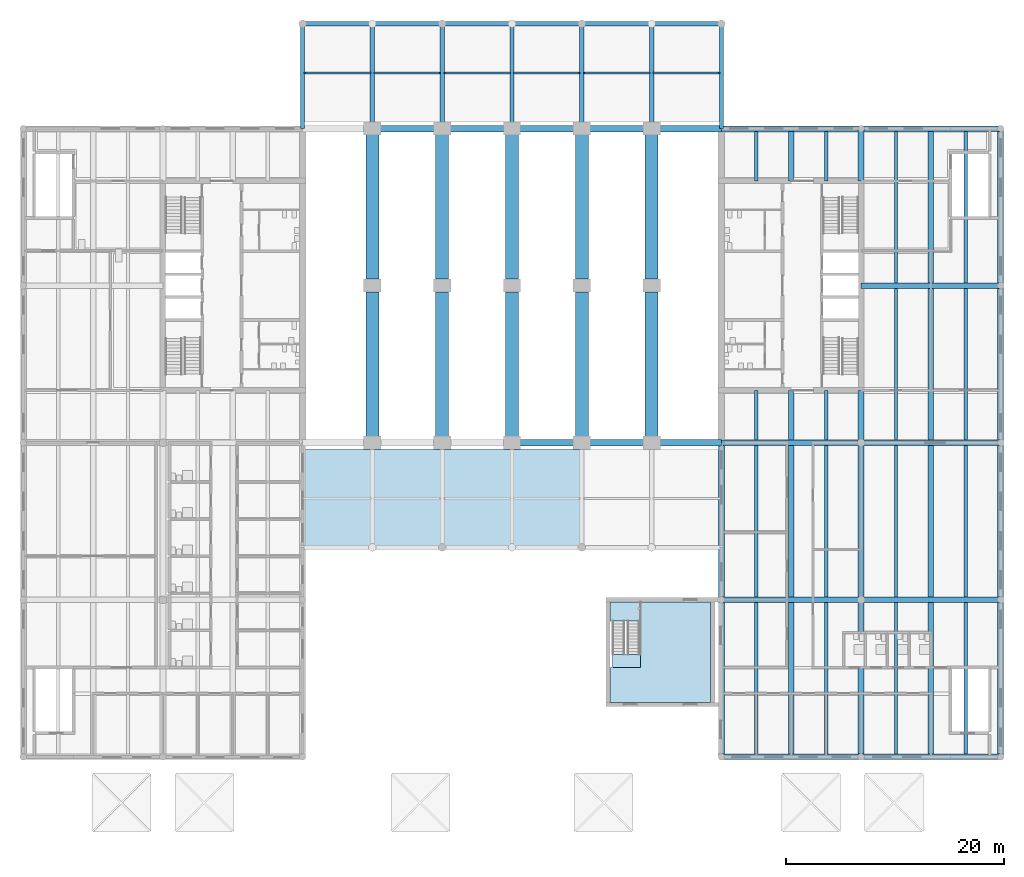
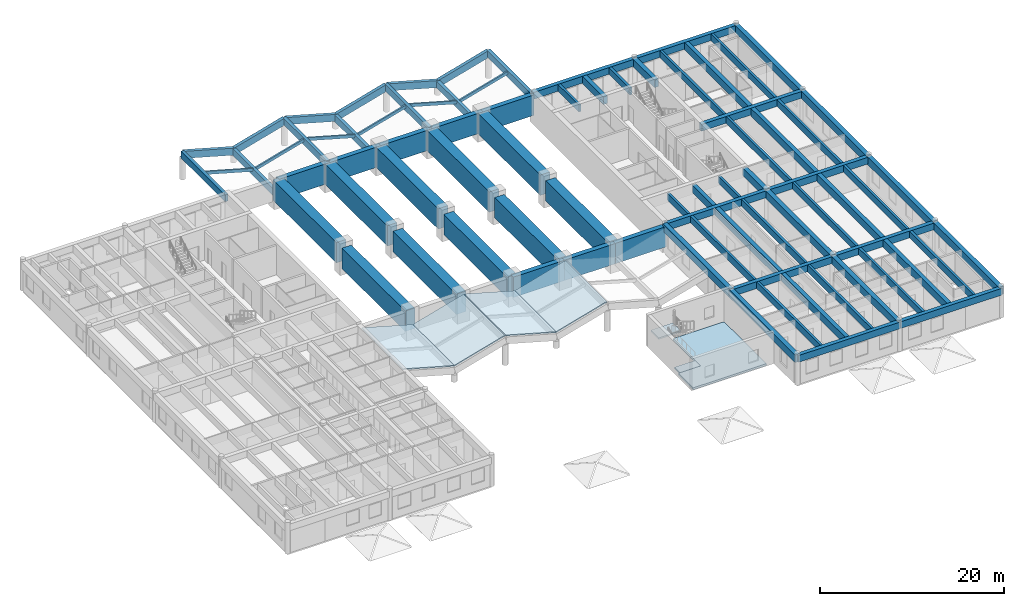
# One storey, part 3 of 19: 80 beams, 7 slabs, 1 element without a shape of its own.
"""IFC4 building model written with IfcOpenShell, lengths in metres."""

from ifc_helpers import new_model, si_unit, direction, frame, origin, origin_2d, place, context, subcontext, project, spatial, polyline, rectangle, outline, extrude, material, layer, layer_set, material_profile, profile_set, type_object, element, aggregate, save


model = new_model("IFC4")

# Units and contexts
model_context = context("Model", 3, precision=1e-05, world=origin(), true_north=direction((0.0, 1.0)))
body_context = subcontext(model_context, "Body", "Model", "MODEL_VIEW")
ifc_project = project(units=[si_unit("LENGTHUNIT", "METRE"), si_unit("AREAUNIT", "SQUARE_METRE"), si_unit("VOLUMEUNIT", "CUBIC_METRE"), si_unit("PLANEANGLEUNIT", "RADIAN"), si_unit("MASSUNIT", "GRAM", prefix="KILO")], contexts=[model_context])

# Site, building, storey
site_placement = place(None, origin())
site = spatial("IfcSite", under=ifc_project, at=site_placement, CompositionType="ELEMENT")
building_placement = place(site_placement, origin())
building = spatial("IfcBuilding", under=site, at=building_placement, Name="Fogon Plaza Fire Station and Headquarters Tower", CompositionType="ELEMENT")
storey_placement = place(building_placement, frame((0.0, 0.0, 4.199951171875)))
storey = spatial("IfcBuildingStorey", under=building, at=storey_placement, Name="L01", CompositionType="ELEMENT", Elevation=4.199951171875)

# Beams
ifc_material_1 = material(Name="Concrete C40", Category="concrete")
ifc_material_profile_1 = material_profile(ifc_material_1, rectangle(XDim=1.199951171875, YDim=2.699951171875, at=origin_2d()), Name="RC 1200x2700")
ifc_profile_set_1 = profile_set([ifc_material_profile_1], Name="Concrete C40")
beam_type_1 = type_object("IfcBeamType", Name="BEAM RC 1200x2700", PredefinedType="BEAM", material=ifc_profile_set_1)
for number, where, z_axis, x_axis, name in (
    (1, (32.0, 28.800048828125, 2.25), (0.0, 1.0, 0.0), (-1.0, 0.0, 0.0), "beam-L01-TG1-1"),
    (2, (32.0, 43.800048828125, 2.25), (0.0, 1.0, 0.0), (-1.0, 0.0, 0.0), "beam-L01-TG1-2"),
    (3, (38.39990234375, 28.800048828125, 2.25), (0.0, 1.0, 0.0), (-1.0, 0.0, 0.0), "beam-L01-TG2-1"),
    (4, (38.39990234375, 43.800048828125, 2.25), (0.0, 1.0, 0.0), (-1.0, 0.0, 0.0), "beam-L01-TG2-2"),
    (5, (44.800048828125, 28.800048828125, 2.25), (0.0, 1.0, 0.0), (-1.0, 0.0, 0.0), "beam-L01-TG3-1"),
    (6, (44.800048828125, 43.800048828125, 2.25), (0.0, 1.0, 0.0), (-1.0, 0.0, 0.0), "beam-L01-TG3-2"),
    (7, (51.199951171875, 28.800048828125, 2.25), (0.0, 1.0, 0.0), (-1.0, 0.0, 0.0), "beam-L01-TG4-1"),
    (8, (51.199951171875, 43.800048828125, 2.25), (0.0, 1.0, 0.0), (-1.0, 0.0, 0.0), "beam-L01-TG4-2"),
    (9, (57.60009765625, 28.800048828125, 2.25), (0.0, 1.0, 0.0), (-1.0, 0.0, 0.0), "beam-L01-TG5-1"),
    (10, (57.60009765625, 43.800048828125, 2.25), (0.0, 1.0, 0.0), (-1.0, 0.0, 0.0), "beam-L01-TG5-2"),
):
    element("IfcBeam", number, at=place(storey_placement, frame(where, z_axis=z_axis, x_axis=x_axis)), inside=storey, type_object=beam_type_1, Name=name, PredefinedType="BEAM", context=body_context, shape_type="SweptSolid", body=[
        extrude(rectangle(XDim=1.199951171875, YDim=2.699951171875, at=origin_2d()), origin(), (0.0, 0.0, 1.0), 13.800048828125),
    ])
ifc_material_2 = material(Name="Concrete C40", Category="concrete")
ifc_material_profile_2 = material_profile(ifc_material_2, rectangle(XDim=0.199951171875, YDim=0.39990234375, at=origin_2d()), Name="RC 200x400")
ifc_profile_set_2 = profile_set([ifc_material_profile_2], Name="Concrete C40")
beam_type_2 = type_object("IfcBeamType", Name="BEAM RC 200x400", PredefinedType="BEAM", material=ifc_profile_set_2)
for number, where, z_axis, x_axis, name in (
    (11, (25.800048828125, 62.699951171875, 3.393798828125), (0.962650940154, 0.0, -0.270745576918), (0.0, 1.0, 0.0), "beam-L01-RCF1"),
    (12, (32.199951171875, 62.699951171875, 1.706298828125), (0.962650940154, 0.0, 0.270745576918), (0.0, 1.0, 0.0), "beam-L01-RCF2"),
    (13, (38.60009765625, 62.699951171875, 3.393798828125), (0.962650940154, 0.0, -0.270745576918), (0.0, 1.0, 0.0), "beam-L01-RCF3"),
    (14, (45.0, 62.699951171875, 1.706298828125), (0.962650940154, 0.0, 0.270745576918), (0.0, 1.0, 0.0), "beam-L01-RCF4"),
    (15, (51.39990234375, 62.699951171875, 3.393798828125), (0.962650940154, 0.0, -0.270745576918), (0.0, 1.0, 0.0), "beam-L01-RCF5"),
    (16, (57.800048828125, 62.699951171875, 1.706298828125), (0.962650940154, 0.0, 0.270745576918), (0.0, 1.0, 0.0), "beam-L01-RCF6"),
):
    element("IfcBeam", number, at=place(storey_placement, frame(where, z_axis=z_axis, x_axis=x_axis)), inside=storey, type_object=beam_type_2, Name=name, PredefinedType="BEAM", context=body_context, shape_type="SweptSolid", body=[
        extrude(rectangle(XDim=0.199951171875, YDim=0.39990234375, at=origin_2d()), origin(), (0.0, 0.0, 1.0), 6.23291015625),
    ])
ifc_material_3 = material(Name="Concrete C40", Category="concrete")
ifc_material_profile_3 = material_profile(ifc_material_3, rectangle(XDim=0.39990234375, YDim=0.89990234375, at=origin_2d()), Name="RC 400x900")
ifc_profile_set_3 = profile_set([ifc_material_profile_3], Name="Concrete C40")
beam_type_3 = type_object("IfcBeamType", Name="BEAM RC 400x900", PredefinedType="BEAM", material=ifc_profile_set_3)
for number, where, z_axis, x_axis, name in (
    (17, (25.60009765625, 57.60009765625, 3.199951171875), (0.0, 1.0, 0.0), (-1.0, 0.0, 0.0), "beam-L01-CFF1"),
    (18, (32.0, 57.60009765625, 1.400146484375), (0.0, 1.0, 0.0), (-1.0, 0.0, 0.0), "beam-L01-CFF2"),
    (19, (38.39990234375, 57.60009765625, 3.199951171875), (0.0, 1.0, 0.0), (-1.0, 0.0, 0.0), "beam-L01-CFF3"),
    (20, (44.800048828125, 57.60009765625, 1.400146484375), (0.0, 1.0, 0.0), (-1.0, 0.0, 0.0), "beam-L01-CFF4"),
    (21, (51.199951171875, 57.60009765625, 3.199951171875), (0.0, 1.0, 0.0), (-1.0, 0.0, 0.0), "beam-L01-CFF5"),
    (22, (57.60009765625, 57.60009765625, 1.400146484375), (0.0, 1.0, 0.0), (-1.0, 0.0, 0.0), "beam-L01-CFF6"),
    (23, (64.0, 57.60009765625, 3.199951171875), (0.0, 1.0, 0.0), (-1.0, 0.0, 0.0), "beam-L01-CFF7"),
):
    element("IfcBeam", number, at=place(storey_placement, frame(where, z_axis=z_axis, x_axis=x_axis)), inside=storey, type_object=beam_type_3, Name=name, PredefinedType="BEAM", context=body_context, shape_type="SweptSolid", body=[
        extrude(rectangle(XDim=0.39990234375, YDim=0.89990234375, at=origin_2d()), origin(), (0.0, 0.0, 1.0), 9.599853515625),
    ])
ifc_material_4 = material(Name="Concrete C40", Category="concrete")
ifc_material_profile_4 = material_profile(ifc_material_4, rectangle(XDim=0.39990234375, YDim=0.89990234375, at=origin_2d()), Name="RC 400x900")
ifc_profile_set_4 = profile_set([ifc_material_profile_4], Name="Concrete C40")
beam_type_4 = type_object("IfcBeamType", Name="BEAM RC 400x900 SPAN 4.8 TO 7.7 M", PredefinedType="BEAM", material=ifc_profile_set_4)
for number, where, z_axis, x_axis, name in (
    (24, (25.60009765625, 67.199951171875, 3.199951171875), (0.962657520105, 0.0, -0.270722180446), (0.0, 1.0, 0.0), "beam-L01-CBF1"),
    (25, (32.0, 67.199951171875, 1.400146484375), (0.962657520105, 0.0, 0.270722180446), (0.0, 1.0, 0.0), "beam-L01-CBF2"),
):
    element("IfcBeam", number, at=place(storey_placement, frame(where, z_axis=z_axis, x_axis=x_axis)), inside=storey, type_object=beam_type_4, Name=name, PredefinedType="BEAM", context=body_context, shape_type="SweptSolid", body=[
        extrude(rectangle(XDim=0.39990234375, YDim=0.89990234375, at=origin_2d()), origin(), (0.0, 0.0, 1.0), 6.648193359375),
    ])
beam_1_placement = place(storey_placement, frame((38.39990234375, 67.199951171875, 3.199951171875), z_axis=(0.962660211411, 0.0, -0.270712610281), x_axis=(0.0, 1.0, 0.0)))
element("IfcBeam", 26, at=beam_1_placement, inside=storey, type_object=beam_type_4, Name="beam-L01-CBF3", PredefinedType="BEAM", context=body_context, shape_type="SweptSolid", body=[
    extrude(rectangle(XDim=0.39990234375, YDim=0.89990234375, at=origin_2d()), origin(), (0.0, 0.0, 1.0), 6.6484375),
])
beam_2_placement = place(storey_placement, frame((44.800048828125, 67.199951171875, 1.400146484375), z_axis=(0.962657520105, 0.0, 0.270722180446), x_axis=(0.0, 1.0, 0.0)))
element("IfcBeam", 27, at=beam_2_placement, inside=storey, type_object=beam_type_4, Name="beam-L01-CBF4", PredefinedType="BEAM", context=body_context, shape_type="SweptSolid", body=[
    extrude(rectangle(XDim=0.39990234375, YDim=0.89990234375, at=origin_2d()), origin(), (0.0, 0.0, 1.0), 6.648193359375),
])
beam_3_placement = place(storey_placement, frame((51.199951171875, 67.199951171875, 3.199951171875), z_axis=(0.962660211411, 0.0, -0.270712610281), x_axis=(0.0, 1.0, 0.0)))
element("IfcBeam", 28, at=beam_3_placement, inside=storey, type_object=beam_type_4, Name="beam-L01-CBF5", PredefinedType="BEAM", context=body_context, shape_type="SweptSolid", body=[
    extrude(rectangle(XDim=0.39990234375, YDim=0.89990234375, at=origin_2d()), origin(), (0.0, 0.0, 1.0), 6.6484375),
])
beam_4_placement = place(storey_placement, frame((57.60009765625, 67.199951171875, 1.400146484375), z_axis=(0.962657520105, 0.0, 0.270722180446), x_axis=(0.0, 1.0, 0.0)))
element("IfcBeam", 29, at=beam_4_placement, inside=storey, type_object=beam_type_4, Name="beam-L01-CBF6", PredefinedType="BEAM", context=body_context, shape_type="SweptSolid", body=[
    extrude(rectangle(XDim=0.39990234375, YDim=0.89990234375, at=origin_2d()), origin(), (0.0, 0.0, 1.0), 6.648193359375),
])
ifc_material_5 = material(Name="Concrete C40", Category="concrete")
ifc_material_profile_5 = material_profile(ifc_material_5, rectangle(XDim=0.5, YDim=0.89990234375, at=origin_2d()), Name="RC 500x900")
ifc_profile_set_5 = profile_set([ifc_material_profile_5], Name="Concrete C40")
beam_type_5 = type_object("IfcBeamType", Name="BEAM RC 500x900", PredefinedType="BEAM", material=ifc_profile_set_5)
for number, where, z_axis, x_axis, name in (
    (30, (89.60009765625, 0.0, 3.449951171875), (-1.0, 0.0, 0.0), (0.0, -1.0, 0.0), "beam-L01-002"),
    (31, (76.800048828125, 0.0, 3.449951171875), (-1.0, 0.0, 0.0), (0.0, -1.0, 0.0), "beam-L01-004"),
    (32, (89.60009765625, 14.39990234375, 3.449951171875), (-1.0, 0.0, 0.0), (0.0, -1.0, 0.0), "beam-L01-006"),
    (33, (76.800048828125, 14.39990234375, 3.449951171875), (-1.0, 0.0, 0.0), (0.0, -1.0, 0.0), "beam-L01-008"),
    (34, (89.60009765625, 28.800048828125, 3.449951171875), (-1.0, 0.0, 0.0), (0.0, -1.0, 0.0), "beam-L01-010"),
    (35, (76.800048828125, 28.800048828125, 3.449951171875), (-1.0, 0.0, 0.0), (0.0, -1.0, 0.0), "beam-L01-012"),
    (36, (89.60009765625, 43.199951171875, 3.449951171875), (-1.0, 0.0, 0.0), (0.0, -1.0, 0.0), "beam-L01-014"),
    (37, (89.60009765625, 57.60009765625, 3.449951171875), (-1.0, 0.0, 0.0), (0.0, -1.0, 0.0), "beam-L01-016"),
    (38, (76.800048828125, 57.60009765625, 3.449951171875), (-1.0, 0.0, 0.0), (0.0, -1.0, 0.0), "beam-L01-018"),
):
    element("IfcBeam", number, at=place(storey_placement, frame(where, z_axis=z_axis, x_axis=x_axis)), inside=storey, type_object=beam_type_5, Name=name, PredefinedType="BEAM", context=body_context, shape_type="SweptSolid", body=[
        extrude(rectangle(XDim=0.5, YDim=0.89990234375, at=origin_2d()), origin(), (0.0, 0.0, 1.0), 12.800048828125),
    ])
ifc_material_6 = material(Name="Concrete C40", Category="concrete")
ifc_material_profile_6 = material_profile(ifc_material_6, rectangle(XDim=0.550048828125, YDim=1.0, at=origin_2d()), Name="RC 550x1000")
ifc_profile_set_6 = profile_set([ifc_material_profile_6], Name="Concrete C40")
beam_type_6 = type_object("IfcBeamType", Name="BEAM RC 550x1000", PredefinedType="BEAM", material=ifc_profile_set_6)
beam_5_placement = place(storey_placement, frame((89.60009765625, 0.0, 3.400146484375), z_axis=(0.0, 1.0, 0.0), x_axis=(-1.0, 0.0, 0.0)))
element("IfcBeam", 39, at=beam_5_placement, inside=storey, type_object=beam_type_6, Name="beam-L01-020", PredefinedType="BEAM", context=body_context, shape_type="SweptSolid", body=[
    extrude(rectangle(XDim=0.550048828125, YDim=1.0, at=origin_2d()), origin(), (0.0, 0.0, 1.0), 14.39990234375),
])
beam_6_placement = place(storey_placement, frame((89.60009765625, 14.39990234375, 3.400146484375), z_axis=(0.0, 1.0, 0.0), x_axis=(-1.0, 0.0, 0.0)))
element("IfcBeam", 40, at=beam_6_placement, inside=storey, type_object=beam_type_6, Name="beam-L01-022", PredefinedType="BEAM", context=body_context, shape_type="SweptSolid", body=[
    extrude(rectangle(XDim=0.550048828125, YDim=1.0, at=origin_2d()), origin(), (0.0, 0.0, 1.0), 14.400146484375),
])
beam_7_placement = place(storey_placement, frame((89.60009765625, 28.800048828125, 3.400146484375), z_axis=(0.0, 1.0, 0.0), x_axis=(-1.0, 0.0, 0.0)))
element("IfcBeam", 41, at=beam_7_placement, inside=storey, type_object=beam_type_6, Name="beam-L01-024", PredefinedType="BEAM", context=body_context, shape_type="SweptSolid", body=[
    extrude(rectangle(XDim=0.550048828125, YDim=1.0, at=origin_2d()), origin(), (0.0, 0.0, 1.0), 14.39990234375),
])
beam_8_placement = place(storey_placement, frame((89.60009765625, 43.199951171875, 3.400146484375), z_axis=(0.0, 1.0, 0.0), x_axis=(-1.0, 0.0, 0.0)))
element("IfcBeam", 42, at=beam_8_placement, inside=storey, type_object=beam_type_6, Name="beam-L01-026", PredefinedType="BEAM", context=body_context, shape_type="SweptSolid", body=[
    extrude(rectangle(XDim=0.550048828125, YDim=1.0, at=origin_2d()), origin(), (0.0, 0.0, 1.0), 14.400146484375),
])
beam_9_placement = place(storey_placement, frame((76.800048828125, 0.0, 3.400146484375), z_axis=(0.0, 1.0, 0.0), x_axis=(-1.0, 0.0, 0.0)))
element("IfcBeam", 43, at=beam_9_placement, inside=storey, type_object=beam_type_6, Name="beam-L01-028", PredefinedType="BEAM", context=body_context, shape_type="SweptSolid", body=[
    extrude(rectangle(XDim=0.550048828125, YDim=1.0, at=origin_2d()), origin(), (0.0, 0.0, 1.0), 14.39990234375),
])
beam_10_placement = place(storey_placement, frame((76.800048828125, 14.39990234375, 3.400146484375), z_axis=(0.0, 1.0, 0.0), x_axis=(-1.0, 0.0, 0.0)))
element("IfcBeam", 44, at=beam_10_placement, inside=storey, type_object=beam_type_6, Name="beam-L01-030", PredefinedType="BEAM", context=body_context, shape_type="SweptSolid", body=[
    extrude(rectangle(XDim=0.550048828125, YDim=1.0, at=origin_2d()), origin(), (0.0, 0.0, 1.0), 14.400146484375),
])
beam_11_placement = place(storey_placement, frame((64.0, 0.0, 3.400146484375), z_axis=(0.0, 1.0, 0.0), x_axis=(-1.0, 0.0, 0.0)))
element("IfcBeam", 45, at=beam_11_placement, inside=storey, type_object=beam_type_6, Name="beam-L01-032", PredefinedType="BEAM", context=body_context, shape_type="SweptSolid", body=[
    extrude(rectangle(XDim=0.550048828125, YDim=1.0, at=origin_2d()), origin(), (0.0, 0.0, 1.0), 14.39990234375),
])
beam_12_placement = place(storey_placement, frame((64.0, 14.39990234375, 3.400146484375), z_axis=(0.0, 1.0, 0.0), x_axis=(-1.0, 0.0, 0.0)))
element("IfcBeam", 46, at=beam_12_placement, inside=storey, type_object=beam_type_6, Name="beam-L01-034", PredefinedType="BEAM", context=body_context, shape_type="SweptSolid", body=[
    extrude(rectangle(XDim=0.550048828125, YDim=1.0, at=origin_2d()), origin(), (0.0, 0.0, 1.0), 14.400146484375),
])
ifc_material_7 = material(Name="Concrete C40", Category="concrete")
ifc_material_profile_7 = material_profile(ifc_material_7, rectangle(XDim=0.550048828125, YDim=1.0, at=origin_2d()), Name="RC 550x1000")
ifc_profile_set_7 = profile_set([ifc_material_profile_7], Name="Concrete C40")
beam_type_7 = type_object("IfcBeamType", Name="BEAM RC 550x1000 SPAN 3.0 TO 4.8 M", PredefinedType="BEAM", material=ifc_profile_set_7)
for number, where, z_axis, x_axis, name in (
    (47, (76.800048828125, 28.800048828125, 3.400146484375), (0.0, 1.0, 0.0), (-1.0, 0.0, 0.0), "beam-L01-036"),
    (48, (76.800048828125, 52.800048828125, 3.400146484375), (0.0, 1.0, 0.0), (-1.0, 0.0, 0.0), "beam-L01-038"),
):
    element("IfcBeam", number, at=place(storey_placement, frame(where, z_axis=z_axis, x_axis=x_axis)), inside=storey, type_object=beam_type_7, Name=name, PredefinedType="BEAM", context=body_context, shape_type="SweptSolid", body=[
        extrude(rectangle(XDim=0.550048828125, YDim=1.0, at=origin_2d()), origin(), (0.0, 0.0, 1.0), 4.800048828125),
    ])
ifc_material_8 = material(Name="Concrete C40", Category="concrete")
ifc_material_profile_8 = material_profile(ifc_material_8, rectangle(XDim=0.300048828125, YDim=0.89990234375, at=origin_2d()), Name="RC 300x900")
ifc_profile_set_8 = profile_set([ifc_material_profile_8], Name="Concrete C40")
beam_type_8 = type_object("IfcBeamType", Name="JOIST RC 300x900", PredefinedType="JOIST", material=ifc_profile_set_8)
beam_13_placement = place(storey_placement, frame((86.39990234375, 0.25, 3.449951171875), z_axis=(0.0, 1.0, 0.0), x_axis=(-1.0, 0.0, 0.0)))
element("IfcBeam", 49, at=beam_13_placement, inside=storey, type_object=beam_type_8, Name="beam-L01-056", PredefinedType="JOIST", context=body_context, shape_type="SweptSolid", body=[
    extrude(rectangle(XDim=0.300048828125, YDim=0.89990234375, at=origin_2d()), origin(), (0.0, 0.0, 1.0), 13.89990234375),
])
beam_14_placement = place(storey_placement, frame((86.39990234375, 14.64990234375, 3.449951171875), z_axis=(0.0, 1.0, 0.0), x_axis=(-1.0, 0.0, 0.0)))
element("IfcBeam", 50, at=beam_14_placement, inside=storey, type_object=beam_type_8, Name="beam-L01-058", PredefinedType="JOIST", context=body_context, shape_type="SweptSolid", body=[
    extrude(rectangle(XDim=0.300048828125, YDim=0.89990234375, at=origin_2d()), origin(), (0.0, 0.0, 1.0), 13.900146484375),
])
beam_15_placement = place(storey_placement, frame((86.39990234375, 29.050048828125, 3.449951171875), z_axis=(0.0, 1.0, 0.0), x_axis=(-1.0, 0.0, 0.0)))
element("IfcBeam", 51, at=beam_15_placement, inside=storey, type_object=beam_type_8, Name="beam-L01-060", PredefinedType="JOIST", context=body_context, shape_type="SweptSolid", body=[
    extrude(rectangle(XDim=0.300048828125, YDim=0.89990234375, at=origin_2d()), origin(), (0.0, 0.0, 1.0), 13.89990234375),
])
beam_16_placement = place(storey_placement, frame((86.39990234375, 43.449951171875, 3.449951171875), z_axis=(0.0, 1.0, 0.0), x_axis=(-1.0, 0.0, 0.0)))
element("IfcBeam", 52, at=beam_16_placement, inside=storey, type_object=beam_type_8, Name="beam-L01-062", PredefinedType="JOIST", context=body_context, shape_type="SweptSolid", body=[
    extrude(rectangle(XDim=0.300048828125, YDim=0.89990234375, at=origin_2d()), origin(), (0.0, 0.0, 1.0), 13.900146484375),
])
beam_17_placement = place(storey_placement, frame((80.0, 0.25, 3.449951171875), z_axis=(0.0, 1.0, 0.0), x_axis=(-1.0, 0.0, 0.0)))
element("IfcBeam", 53, at=beam_17_placement, inside=storey, type_object=beam_type_8, Name="beam-L01-064", PredefinedType="JOIST", context=body_context, shape_type="SweptSolid", body=[
    extrude(rectangle(XDim=0.300048828125, YDim=0.89990234375, at=origin_2d()), origin(), (0.0, 0.0, 1.0), 13.89990234375),
])
beam_18_placement = place(storey_placement, frame((80.0, 14.64990234375, 3.449951171875), z_axis=(0.0, 1.0, 0.0), x_axis=(-1.0, 0.0, 0.0)))
element("IfcBeam", 54, at=beam_18_placement, inside=storey, type_object=beam_type_8, Name="beam-L01-066", PredefinedType="JOIST", context=body_context, shape_type="SweptSolid", body=[
    extrude(rectangle(XDim=0.300048828125, YDim=0.89990234375, at=origin_2d()), origin(), (0.0, 0.0, 1.0), 13.900146484375),
])
beam_19_placement = place(storey_placement, frame((80.0, 29.050048828125, 3.449951171875), z_axis=(0.0, 1.0, 0.0), x_axis=(-1.0, 0.0, 0.0)))
element("IfcBeam", 55, at=beam_19_placement, inside=storey, type_object=beam_type_8, Name="beam-L01-068", PredefinedType="JOIST", context=body_context, shape_type="SweptSolid", body=[
    extrude(rectangle(XDim=0.300048828125, YDim=0.89990234375, at=origin_2d()), origin(), (0.0, 0.0, 1.0), 13.89990234375),
])
beam_20_placement = place(storey_placement, frame((80.0, 43.449951171875, 3.449951171875), z_axis=(0.0, 1.0, 0.0), x_axis=(-1.0, 0.0, 0.0)))
element("IfcBeam", 56, at=beam_20_placement, inside=storey, type_object=beam_type_8, Name="beam-L01-070", PredefinedType="JOIST", context=body_context, shape_type="SweptSolid", body=[
    extrude(rectangle(XDim=0.300048828125, YDim=0.89990234375, at=origin_2d()), origin(), (0.0, 0.0, 1.0), 13.900146484375),
])
beam_21_placement = place(storey_placement, frame((73.60009765625, 0.25, 3.449951171875), z_axis=(0.0, 1.0, 0.0), x_axis=(-1.0, 0.0, 0.0)))
element("IfcBeam", 57, at=beam_21_placement, inside=storey, type_object=beam_type_8, Name="beam-L01-072", PredefinedType="JOIST", context=body_context, shape_type="SweptSolid", body=[
    extrude(rectangle(XDim=0.300048828125, YDim=0.89990234375, at=origin_2d()), origin(), (0.0, 0.0, 1.0), 13.89990234375),
])
beam_22_placement = place(storey_placement, frame((73.60009765625, 14.64990234375, 3.449951171875), z_axis=(0.0, 1.0, 0.0), x_axis=(-1.0, 0.0, 0.0)))
element("IfcBeam", 58, at=beam_22_placement, inside=storey, type_object=beam_type_8, Name="beam-L01-074", PredefinedType="JOIST", context=body_context, shape_type="SweptSolid", body=[
    extrude(rectangle(XDim=0.300048828125, YDim=0.89990234375, at=origin_2d()), origin(), (0.0, 0.0, 1.0), 13.900146484375),
])
beam_23_placement = place(storey_placement, frame((67.199951171875, 0.25, 3.449951171875), z_axis=(0.0, 1.0, 0.0), x_axis=(-1.0, 0.0, 0.0)))
element("IfcBeam", 59, at=beam_23_placement, inside=storey, type_object=beam_type_8, Name="beam-L01-080", PredefinedType="JOIST", context=body_context, shape_type="SweptSolid", body=[
    extrude(rectangle(XDim=0.300048828125, YDim=0.89990234375, at=origin_2d()), origin(), (0.0, 0.0, 1.0), 13.89990234375),
])
beam_24_placement = place(storey_placement, frame((67.199951171875, 14.64990234375, 3.449951171875), z_axis=(0.0, 1.0, 0.0), x_axis=(-1.0, 0.0, 0.0)))
element("IfcBeam", 60, at=beam_24_placement, inside=storey, type_object=beam_type_8, Name="beam-L01-082", PredefinedType="JOIST", context=body_context, shape_type="SweptSolid", body=[
    extrude(rectangle(XDim=0.300048828125, YDim=0.89990234375, at=origin_2d()), origin(), (0.0, 0.0, 1.0), 13.900146484375),
])
ifc_material_9 = material(Name="Concrete C40", Category="concrete")
ifc_material_profile_9 = material_profile(ifc_material_9, rectangle(XDim=0.300048828125, YDim=0.89990234375, at=origin_2d()), Name="RC 300x900")
ifc_profile_set_9 = profile_set([ifc_material_profile_9], Name="Concrete C40")
beam_type_9 = type_object("IfcBeamType", Name="JOIST RC 300x900 SPAN 3.0 TO 4.8 M", PredefinedType="JOIST", material=ifc_profile_set_9)
for number, where, z_axis, x_axis, name in (
    (61, (73.60009765625, 29.050048828125, 3.449951171875), (0.0, 1.0, 0.0), (-1.0, 0.0, 0.0), "beam-L01-076"),
    (62, (73.60009765625, 52.800048828125, 3.449951171875), (0.0, 1.0, 0.0), (-1.0, 0.0, 0.0), "beam-L01-078"),
    (63, (67.199951171875, 29.050048828125, 3.449951171875), (0.0, 1.0, 0.0), (-1.0, 0.0, 0.0), "beam-L01-084"),
    (64, (67.199951171875, 52.800048828125, 3.449951171875), (0.0, 1.0, 0.0), (-1.0, 0.0, 0.0), "beam-L01-086"),
):
    element("IfcBeam", number, at=place(storey_placement, frame(where, z_axis=z_axis, x_axis=x_axis)), inside=storey, type_object=beam_type_9, Name=name, PredefinedType="JOIST", context=body_context, shape_type="SweptSolid", body=[
        extrude(rectangle(XDim=0.300048828125, YDim=0.89990234375, at=origin_2d()), origin(), (0.0, 0.0, 1.0), 4.550048828125),
    ])
ifc_material_10 = material(Name="Concrete C40", Category="concrete")
ifc_material_profile_10 = material_profile(ifc_material_10, rectangle(XDim=0.5, YDim=1.0, at=origin_2d()), Name="RC 500x1000")
ifc_profile_set_10 = profile_set([ifc_material_profile_10], Name="Concrete C40")
beam_type_10 = type_object("IfcBeamType", Name="JOIST RC 500x1000", PredefinedType="JOIST", material=ifc_profile_set_10)
beam_25_placement = place(storey_placement, frame((83.199951171875, 0.25, 3.400146484375), z_axis=(0.0, 1.0, 0.0), x_axis=(-1.0, 0.0, 0.0)))
element("IfcBeam", 65, at=beam_25_placement, inside=storey, type_object=beam_type_10, Name="beam-L01-040", PredefinedType="JOIST", context=body_context, shape_type="SweptSolid", body=[
    extrude(rectangle(XDim=0.5, YDim=1.0, at=origin_2d()), origin(), (0.0, 0.0, 1.0), 13.89990234375),
])
beam_26_placement = place(storey_placement, frame((83.199951171875, 14.64990234375, 3.400146484375), z_axis=(0.0, 1.0, 0.0), x_axis=(-1.0, 0.0, 0.0)))
element("IfcBeam", 66, at=beam_26_placement, inside=storey, type_object=beam_type_10, Name="beam-L01-042", PredefinedType="JOIST", context=body_context, shape_type="SweptSolid", body=[
    extrude(rectangle(XDim=0.5, YDim=1.0, at=origin_2d()), origin(), (0.0, 0.0, 1.0), 13.900146484375),
])
beam_27_placement = place(storey_placement, frame((83.199951171875, 29.050048828125, 3.400146484375), z_axis=(0.0, 1.0, 0.0), x_axis=(-1.0, 0.0, 0.0)))
element("IfcBeam", 67, at=beam_27_placement, inside=storey, type_object=beam_type_10, Name="beam-L01-044", PredefinedType="JOIST", context=body_context, shape_type="SweptSolid", body=[
    extrude(rectangle(XDim=0.5, YDim=1.0, at=origin_2d()), origin(), (0.0, 0.0, 1.0), 13.89990234375),
])
beam_28_placement = place(storey_placement, frame((83.199951171875, 43.449951171875, 3.400146484375), z_axis=(0.0, 1.0, 0.0), x_axis=(-1.0, 0.0, 0.0)))
element("IfcBeam", 68, at=beam_28_placement, inside=storey, type_object=beam_type_10, Name="beam-L01-046", PredefinedType="JOIST", context=body_context, shape_type="SweptSolid", body=[
    extrude(rectangle(XDim=0.5, YDim=1.0, at=origin_2d()), origin(), (0.0, 0.0, 1.0), 13.900146484375),
])
beam_29_placement = place(storey_placement, frame((70.39990234375, 0.25, 3.400146484375), z_axis=(0.0, 1.0, 0.0), x_axis=(-1.0, 0.0, 0.0)))
element("IfcBeam", 69, at=beam_29_placement, inside=storey, type_object=beam_type_10, Name="beam-L01-048", PredefinedType="JOIST", context=body_context, shape_type="SweptSolid", body=[
    extrude(rectangle(XDim=0.5, YDim=1.0, at=origin_2d()), origin(), (0.0, 0.0, 1.0), 13.89990234375),
])
beam_30_placement = place(storey_placement, frame((70.39990234375, 14.64990234375, 3.400146484375), z_axis=(0.0, 1.0, 0.0), x_axis=(-1.0, 0.0, 0.0)))
element("IfcBeam", 70, at=beam_30_placement, inside=storey, type_object=beam_type_10, Name="beam-L01-050", PredefinedType="JOIST", context=body_context, shape_type="SweptSolid", body=[
    extrude(rectangle(XDim=0.5, YDim=1.0, at=origin_2d()), origin(), (0.0, 0.0, 1.0), 13.900146484375),
])
ifc_material_11 = material(Name="Concrete C40", Category="concrete")
ifc_material_profile_11 = material_profile(ifc_material_11, rectangle(XDim=0.5, YDim=1.0, at=origin_2d()), Name="RC 500x1000")
ifc_profile_set_11 = profile_set([ifc_material_profile_11], Name="Concrete C40")
beam_type_11 = type_object("IfcBeamType", Name="JOIST RC 500x1000 SPAN 3.0 TO 4.8 M", PredefinedType="JOIST", material=ifc_profile_set_11)
for number, where, z_axis, x_axis, name in (
    (71, (70.39990234375, 29.050048828125, 3.400146484375), (0.0, 1.0, 0.0), (-1.0, 0.0, 0.0), "beam-L01-052"),
    (72, (70.39990234375, 52.800048828125, 3.400146484375), (0.0, 1.0, 0.0), (-1.0, 0.0, 0.0), "beam-L01-054"),
):
    element("IfcBeam", number, at=place(storey_placement, frame(where, z_axis=z_axis, x_axis=x_axis)), inside=storey, type_object=beam_type_11, Name=name, PredefinedType="JOIST", context=body_context, shape_type="SweptSolid", body=[
        extrude(rectangle(XDim=0.5, YDim=1.0, at=origin_2d()), origin(), (0.0, 0.0, 1.0), 4.550048828125),
    ])
ifc_material_12 = material(Name="Concrete C40", Category="concrete")
ifc_material_profile_12 = material_profile(ifc_material_12, rectangle(XDim=0.60009765625, YDim=2.699951171875, at=origin_2d()), Name="RC 600x2700")
ifc_profile_set_12 = profile_set([ifc_material_profile_12], Name="Concrete C40")
beam_type_12 = type_object("IfcBeamType", Name="SPANDREL RC 600x2700", PredefinedType="SPANDREL", material=ifc_profile_set_12)
beam_31_placement = place(storey_placement, frame((44.800048828125, 28.800048828125, 2.25), z_axis=(1.0, 0.0, 0.0), x_axis=(0.0, 1.0, 0.0)))
element("IfcBeam", 73, at=beam_31_placement, inside=storey, type_object=beam_type_12, Name="beam-L01-SP4", PredefinedType="SPANDREL", context=body_context, shape_type="SweptSolid", body=[
    extrude(rectangle(XDim=0.60009765625, YDim=2.699951171875, at=origin_2d()), origin(), (0.0, 0.0, 1.0), 6.39990234375),
])
beam_32_placement = place(storey_placement, frame((51.199951171875, 28.800048828125, 2.25), z_axis=(1.0, 0.0, 0.0), x_axis=(0.0, 1.0, 0.0)))
element("IfcBeam", 74, at=beam_32_placement, inside=storey, type_object=beam_type_12, Name="beam-L01-SP5", PredefinedType="SPANDREL", context=body_context, shape_type="SweptSolid", body=[
    extrude(rectangle(XDim=0.60009765625, YDim=2.699951171875, at=origin_2d()), origin(), (0.0, 0.0, 1.0), 6.400146484375),
])
for number, where, z_axis, x_axis, name in (
    (75, (57.60009765625, 28.800048828125, 2.25), (1.0, 0.0, 0.0), (0.0, 1.0, 0.0), "beam-L01-SP6"),
    (76, (32.0, 57.60009765625, 2.25), (1.0, 0.0, 0.0), (0.0, 1.0, 0.0), "beam-L01-SP8"),
):
    element("IfcBeam", number, at=place(storey_placement, frame(where, z_axis=z_axis, x_axis=x_axis)), inside=storey, type_object=beam_type_12, Name=name, PredefinedType="SPANDREL", context=body_context, shape_type="SweptSolid", body=[
        extrude(rectangle(XDim=0.60009765625, YDim=2.699951171875, at=origin_2d()), origin(), (0.0, 0.0, 1.0), 6.39990234375),
    ])
beam_33_placement = place(storey_placement, frame((38.39990234375, 57.60009765625, 2.25), z_axis=(1.0, 0.0, 0.0), x_axis=(0.0, 1.0, 0.0)))
element("IfcBeam", 77, at=beam_33_placement, inside=storey, type_object=beam_type_12, Name="beam-L01-SP9", PredefinedType="SPANDREL", context=body_context, shape_type="SweptSolid", body=[
    extrude(rectangle(XDim=0.60009765625, YDim=2.699951171875, at=origin_2d()), origin(), (0.0, 0.0, 1.0), 6.400146484375),
])
beam_34_placement = place(storey_placement, frame((44.800048828125, 57.60009765625, 2.25), z_axis=(1.0, 0.0, 0.0), x_axis=(0.0, 1.0, 0.0)))
element("IfcBeam", 78, at=beam_34_placement, inside=storey, type_object=beam_type_12, Name="beam-L01-SP10", PredefinedType="SPANDREL", context=body_context, shape_type="SweptSolid", body=[
    extrude(rectangle(XDim=0.60009765625, YDim=2.699951171875, at=origin_2d()), origin(), (0.0, 0.0, 1.0), 6.39990234375),
])
beam_35_placement = place(storey_placement, frame((51.199951171875, 57.60009765625, 2.25), z_axis=(1.0, 0.0, 0.0), x_axis=(0.0, 1.0, 0.0)))
element("IfcBeam", 79, at=beam_35_placement, inside=storey, type_object=beam_type_12, Name="beam-L01-SP11", PredefinedType="SPANDREL", context=body_context, shape_type="SweptSolid", body=[
    extrude(rectangle(XDim=0.60009765625, YDim=2.699951171875, at=origin_2d()), origin(), (0.0, 0.0, 1.0), 6.400146484375),
])
beam_36_placement = place(storey_placement, frame((57.60009765625, 57.60009765625, 2.25), z_axis=(1.0, 0.0, 0.0), x_axis=(0.0, 1.0, 0.0)))
element("IfcBeam", 80, at=beam_36_placement, inside=storey, type_object=beam_type_12, Name="beam-L01-SP12", PredefinedType="SPANDREL", context=body_context, shape_type="SweptSolid", body=[
    extrude(rectangle(XDim=0.60009765625, YDim=2.699951171875, at=origin_2d()), origin(), (0.0, 0.0, 1.0), 6.39990234375),
])

# Stair, slabs
ifc_material_13 = material(Name="Concrete C40", Category="concrete")
stair_type = type_object("IfcStairType", Name="Drill Stair 1100", PredefinedType="HALF_TURN_STAIR", material=ifc_material_13)
stair_placement = place(storey_placement, origin())
stair = element("IfcStair", 81, at=stair_placement, inside=storey, type_object=stair_type, Name="DT1", PredefinedType="HALF_TURN_STAIR")
ifc_material_14 = material(Name="Concrete C40", Category="concrete")
ifc_layer_1 = layer(ifc_material_14, 0.199951171875)
ifc_layer_set_1 = layer_set([ifc_layer_1], Name="Concrete C40")
slab_type_1 = type_object("IfcSlabType", Name="Drill Stair Landing 200", PredefinedType="LANDING", material=ifc_layer_set_1)
slab_1_placement = place(storey_placement, frame((0.0, 0.0, -0.199951171875)))
slab_1 = element("IfcSlab", 82, at=slab_1_placement, type_object=slab_type_1, Name="DT1 landing 1", PredefinedType="LANDING", context=body_context, shape_type="SweptSolid", body=[
    extrude(outline(polyline([(54.0, 8.199951171875), (56.60009765625, 8.199951171875), (56.60009765625, 9.39990234375), (54.0, 9.39990234375), (54.0, 8.199951171875)])), origin(), (0.0, 0.0, 1.0), 0.199951171875),
])
slab_2_placement = place(storey_placement, frame((0.0, 0.0, 1.900146484375)))
slab_2 = element("IfcSlab", 83, at=slab_2_placement, type_object=slab_type_1, Name="DT1 landing 2", PredefinedType="LANDING", context=body_context, shape_type="SweptSolid", body=[
    extrude(outline(polyline([(53.800048828125, 12.47998046875), (56.60009765625, 12.47998046875), (56.60009765625, 14.199951171875), (53.800048828125, 14.199951171875), (53.800048828125, 12.47998046875)])), origin(), (0.0, 0.0, 1.0), 0.199951171875),
])
aggregate(stair, [slab_1, slab_2])

# Slabs
ifc_material_15 = material(Name="Concrete C40", Category="concrete")
ifc_layer_2 = layer(ifc_material_15, 0.25)
ifc_layer_set_2 = layer_set([ifc_layer_2], Name="Concrete C40")
slab_type_2 = type_object("IfcSlabType", Name="Floor slab 250 S25", PredefinedType="FLOOR", material=ifc_layer_set_2)
slab_3_placement = place(storey_placement, frame((0.0, 0.0, -0.25)))
element("IfcSlab", 84, at=slab_3_placement, inside=storey, type_object=slab_type_2, Name="slab-drill-L01", PredefinedType="FLOOR", context=body_context, shape_type="SweptSolid", body=[
    extrude(outline(polyline([(63.0, 14.199951171875), (63.0, 5.0), (53.800048828125, 5.0), (53.800048828125, 8.199951171875), (56.60009765625, 8.199951171875), (56.60009765625, 14.199951171875), (63.0, 14.199951171875)])), origin(), (0.0, 0.0, 1.0), 0.25),
])
ifc_material_16 = material(Name="Concrete C40", Category="concrete")
ifc_layer_3 = layer(ifc_material_16, 0.14990234375)
ifc_layer_set_3 = layer_set([ifc_layer_3], Name="Concrete C40")
slab_type_3 = type_object("IfcSlabType", Name="Roof slab 150 R15", PredefinedType="ROOF", material=ifc_layer_set_3)
slab_4_placement = place(storey_placement, frame((25.60009765625, 28.199951171875, 3.800048828125), z_axis=(0.27075621152, 0.0, 0.962647949109), x_axis=(0.962647949109, 0.0, -0.27075621152)))
element("IfcSlab", 85, at=slab_4_placement, inside=storey, type_object=slab_type_3, Name="slab-canopy-rear-1", PredefinedType="ROOF", context=body_context, shape_type="SweptSolid", body=[
    extrude(outline(polyline([(0.0, 0.0), (6.648227266961541, 0.0), (6.648227266961541, -8.999999999999998), (0.0, -8.999999999999998), (0.0, 0.0)])), origin(), (0.0, 0.0, -1.0), 0.14990234375),
])
for number, where, z_axis, x_axis, name in (
    (86, (32.0, 28.199951171875, 2.0), (-0.270763799577, 0.0, 0.962645814845), (0.962645814845, 0.0, 0.270763799577), "slab-canopy-rear-2"),
    (87, (38.45068359375, 28.199951171875, 3.785888671875), (0.270763799577, 0.0, 0.962645814845), (0.962645814845, 0.0, -0.270763799577), "slab-canopy-rear-3"),
    (88, (44.800048828125, 28.199951171875, 2.0), (-0.270763799577, 0.0, 0.962645814845), (0.962645814845, 0.0, 0.270763799577), "slab-canopy-rear-4"),
):
    element("IfcSlab", number, at=place(storey_placement, frame(where, z_axis=z_axis, x_axis=x_axis)), inside=storey, type_object=slab_type_3, Name=name, PredefinedType="ROOF", context=body_context, shape_type="SweptSolid", body=[
        extrude(outline(polyline([(0.0, 0.0), (6.59574387221194, 0.0), (6.59574387221194, -9.0), (0.0, -9.0), (0.0, 0.0)])), origin(), (0.0, 0.0, -1.0), 0.14990234375),
    ])

save(model, "model.ifc")
